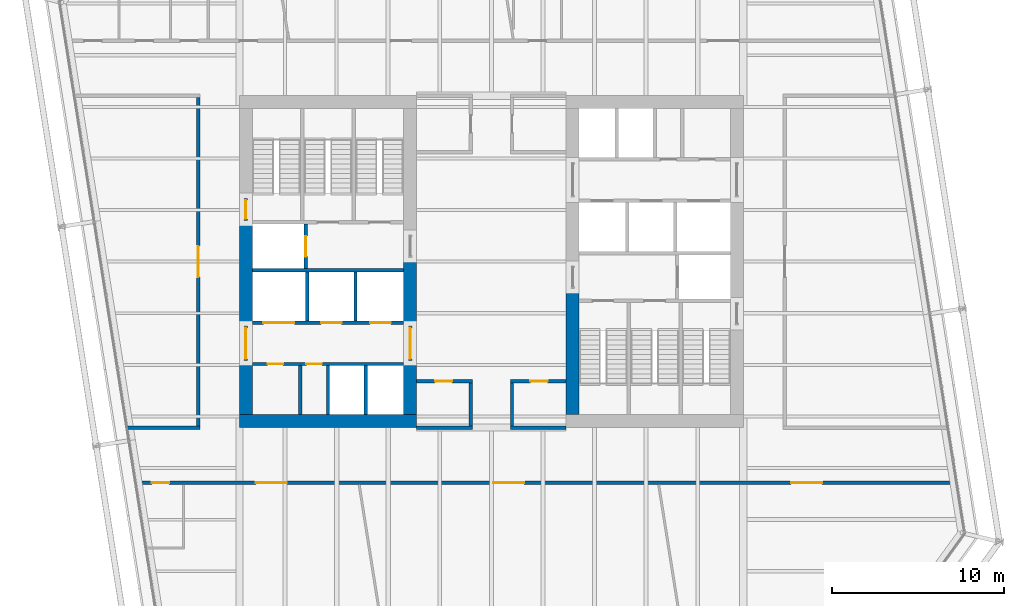
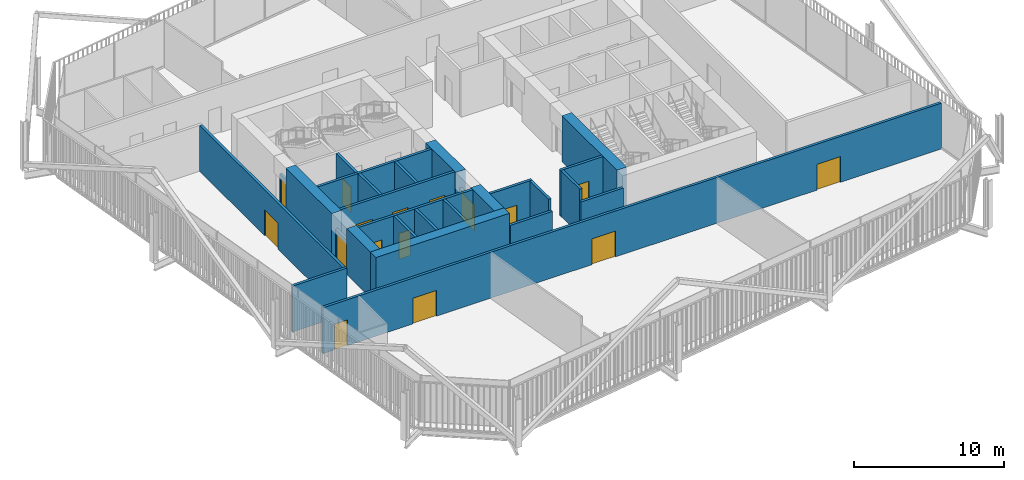
# One storey, part 18 of 22: 27 walls, 16 doors, 16 openings.
"""IFC4 building model written with IfcOpenShell, lengths in metres."""

from ifc_helpers import new_model, si_unit, direction, frame, frame_2d, origin, place, context, subcontext, project, spatial, rectangle, extrude, material, layer, layer_set, type_object, element, fill, save


model = new_model("IFC4")

# Units and contexts
model_context = context("Model", 3, precision=1e-05, world=origin(), true_north=direction((0.0, 1.0)))
body_context = subcontext(model_context, "Body", "Model", "MODEL_VIEW")
ifc_project = project(units=[si_unit("LENGTHUNIT", "METRE"), si_unit("AREAUNIT", "SQUARE_METRE"), si_unit("VOLUMEUNIT", "CUBIC_METRE"), si_unit("PLANEANGLEUNIT", "RADIAN"), si_unit("MASSUNIT", "GRAM", prefix="KILO")], contexts=[model_context])

# Site, building, storey
site_placement = place(None, origin())
site = spatial("IfcSite", under=ifc_project, at=site_placement, CompositionType="ELEMENT")
building_placement = place(site_placement, origin())
building = spatial("IfcBuilding", under=site, at=building_placement, Name="Millrace Tower", CompositionType="ELEMENT")
storey_placement = place(building_placement, frame((0.0, 0.0, 137.300048828125)))
storey = spatial("IfcBuildingStorey", under=building, at=storey_placement, Name="L30", CompositionType="ELEMENT", Elevation=137.300048828125)

# Walls
ifc_material_1 = material(Name="Concrete C70", Category="concrete")
ifc_layer_1 = layer(ifc_material_1, 0.75)
ifc_layer_set_1 = layer_set([ifc_layer_1], Name="Concrete C70")
wall_type_1 = type_object("IfcWallType", Name="Core wall 750 Concrete C70", PredefinedType="SHEAR", material=ifc_layer_set_1)
wall_1_placement = place(storey_placement, frame((-14.64990234375, -9.27490234375, 0.0), z_axis=(0.0, 0.0, 1.0), x_axis=(1.0, 0.0, 0.0)))
element("IfcWall", 1, at=wall_1_placement, inside=storey, type_object=wall_type_1, Name="Core wall W L30", PredefinedType="SHEAR", context=body_context, shape_type="SweptSolid", body=[
    extrude(rectangle(XDim=10.2998046875, YDim=0.75, at=frame_2d((5.14990234375, 0.0))), origin(), (0.0, 0.0, 1.0), 3.739990234375),
])
wall_2_placement = place(storey_placement, frame((-14.27490234375, -8.89990234375, 0.0), z_axis=(0.0, 0.0, 1.0), x_axis=(0.0, 1.0, 0.0)))
element("IfcWall", 2, at=wall_2_placement, inside=storey, type_object=wall_type_1, Name="Core wall W L30", PredefinedType="SHEAR", context=body_context, shape_type="SweptSolid", body=[
    extrude(rectangle(XDim=3.14990234375, YDim=0.75, at=frame_2d((1.574951171875, 0.0))), origin(), (0.0, 0.0, 1.0), 3.739990234375),
])
wall_3_placement = place(storey_placement, frame((-14.27490234375, -3.75, 0.0), z_axis=(0.0, 0.0, 1.0), x_axis=(0.0, 1.0, 0.0)))
element("IfcWall", 3, at=wall_3_placement, inside=storey, type_object=wall_type_1, Name="Core wall W L30", PredefinedType="SHEAR", context=body_context, shape_type="SweptSolid", body=[
    extrude(rectangle(XDim=6.1298828125, YDim=0.75, at=frame_2d((3.06494140625, 0.0))), origin(), (0.0, 0.0, 1.0), 3.739990234375),
])
wall_4_placement = place(storey_placement, frame((-4.72509765625, -8.89990234375, 0.0), z_axis=(0.0, 0.0, 1.0), x_axis=(0.0, 1.0, 0.0)))
element("IfcWall", 4, at=wall_4_placement, inside=storey, type_object=wall_type_1, Name="Core wall W L30", PredefinedType="SHEAR", context=body_context, shape_type="SweptSolid", body=[
    extrude(rectangle(XDim=3.14990234375, YDim=0.75, at=frame_2d((1.574951171875, 0.0))), origin(), (0.0, 0.0, 1.0), 3.739990234375),
])
wall_5_placement = place(storey_placement, frame((-4.72509765625, -3.75, 0.0), z_axis=(0.0, 0.0, 1.0), x_axis=(0.0, 1.0, 0.0)))
element("IfcWall", 5, at=wall_5_placement, inside=storey, type_object=wall_type_1, Name="Core wall W L30", PredefinedType="SHEAR", context=body_context, shape_type="SweptSolid", body=[
    extrude(rectangle(XDim=4.0, YDim=0.75, at=frame_2d((2.0, 0.0))), origin(), (0.0, 0.0, 1.0), 3.739990234375),
])
wall_6_placement = place(storey_placement, frame((4.72509765625, -1.550048828125, 0.0), z_axis=(0.0, 0.0, 1.0), x_axis=(0.0, -1.0, 0.0)))
element("IfcWall", 6, at=wall_6_placement, inside=storey, type_object=wall_type_1, Name="Core wall E L30", PredefinedType="SHEAR", context=body_context, shape_type="SweptSolid", body=[
    extrude(rectangle(XDim=7.349853515625, YDim=0.75, at=frame_2d((3.6748046875, 0.0))), origin(), (0.0, 0.0, 1.0), 3.739990234375),
])

# Wall, openings, doors
ifc_material_2 = material(Name="Masonry partition, fire-rated", Category="masonry")
ifc_layer_2 = layer(ifc_material_2, 0.199951171875)
ifc_layer_set_2 = layer_set([ifc_layer_2], Name="Masonry partition, fire-rated")
wall_type_2 = type_object("IfcWallType", Name="Corridor wall 200", PredefinedType="PARTITIONING", material=ifc_layer_set_2)
wall_7_placement = place(storey_placement, frame((-20.6435546875, -12.85009765625, 0.0), z_axis=(0.0, 0.0, 1.0), x_axis=(1.0, 0.0, 0.0)))
wall_7 = element("IfcWall", 7, at=wall_7_placement, inside=storey, type_object=wall_type_2, Name="Corridor wall L30", PredefinedType="PARTITIONING", context=body_context, shape_type="SweptSolid", body=[
    extrude(rectangle(XDim=47.646728515625, YDim=0.199951171875, at=frame_2d((23.8232421875, 0.0))), origin(), (0.0, 0.0, 1.0), 3.739990234375),
])
opening_1_placement = place(wall_7_placement, frame((6.945068359375, 0.0, 0.0)))
opening_1 = element("IfcOpeningElement", 8, at=opening_1_placement, cuts=wall_7, Name="Opening 30-P013", PredefinedType="OPENING", context=body_context, shape_type="SweptSolid", body=[
    extrude(rectangle(XDim=1.800048828125, YDim=2.10009765625, at=frame_2d((0.89990234375, 1.050048828125))), frame((0.0, 0.10986328125, 0.0), z_axis=(0.0, -1.0, 0.0), x_axis=(1.0, 0.0, 0.0)), (0.0, 0.0, 1.0), 0.219970703125),
])
opening_2_placement = place(wall_7_placement, frame((0.900390625, 0.0, 0.0)))
opening_2 = element("IfcOpeningElement", 9, at=opening_2_placement, cuts=wall_7, Name="Opening 30-P014", PredefinedType="OPENING", context=body_context, shape_type="SweptSolid", body=[
    extrude(rectangle(XDim=1.0, YDim=2.10009765625, at=frame_2d((0.5, 1.050048828125))), frame((0.0, 0.10986328125, 0.0), z_axis=(0.0, -1.0, 0.0), x_axis=(1.0, 0.0, 0.0)), (0.0, 0.0, 1.0), 0.219970703125),
])
opening_3_placement = place(wall_7_placement, frame((20.74658203125, 0.0, 0.0)))
opening_3 = element("IfcOpeningElement", 10, at=opening_3_placement, cuts=wall_7, Name="Opening 30-P015", PredefinedType="OPENING", context=body_context, shape_type="SweptSolid", body=[
    extrude(rectangle(XDim=1.800048828125, YDim=2.10009765625, at=frame_2d((0.89990234375, 1.050048828125))), frame((0.0, 0.10986328125, 0.0), z_axis=(0.0, -1.0, 0.0), x_axis=(1.0, 0.0, 0.0)), (0.0, 0.0, 1.0), 0.219970703125),
])
opening_4_placement = place(wall_7_placement, frame((38.074462890625, 0.0, 0.0)))
opening_4 = element("IfcOpeningElement", 11, at=opening_4_placement, cuts=wall_7, Name="Opening 30-P016", PredefinedType="OPENING", context=body_context, shape_type="SweptSolid", body=[
    extrude(rectangle(XDim=1.800048828125, YDim=2.10009765625, at=frame_2d((0.89990234375, 1.050048828125))), frame((0.0, 0.10986328125, 0.0), z_axis=(0.0, -1.0, 0.0), x_axis=(1.0, 0.0, 0.0)), (0.0, 0.0, 1.0), 0.219970703125),
])
ifc_material_3 = material(Name="Steel door set, fire-rated", Category="steel")
door_type_1 = type_object("IfcDoorType", Name="Corridor door 1000 x 2100", OperationType="SINGLE_SWING_LEFT", PredefinedType="DOOR", material=ifc_material_3)
door_1_placement = place(opening_2_placement, frame((1.0, 0.0, 0.0), z_axis=(0.0, 0.0, 1.0), x_axis=(-1.0, 0.0, 0.0)))
door_1 = element("IfcDoor", 12, at=door_1_placement, inside=storey, type_object=door_type_1, Name="Door 30-P014", OperationType="SINGLE_SWING_RIGHT", OverallHeight=2.10009765625, OverallWidth=1.0, PredefinedType="DOOR", context=body_context, shape_type="SweptSolid", body=[
    extrude(rectangle(XDim=1.0, YDim=2.10009765625, at=frame_2d((0.5, 1.050048828125))), frame((0.0, 0.02490234375, 0.0), z_axis=(0.0, -1.0, 0.0), x_axis=(1.0, 0.0, 0.0)), (0.0, 0.0, 1.0), 0.050048828125),
])
fill(opening_2, door_1)
ifc_material_4 = material(Name="Steel door set, fire-rated", Category="steel")
door_type_2 = type_object("IfcDoorType", Name="Corridor door 1800 x 2100", OperationType="DOUBLE_DOOR_SINGLE_SWING", PredefinedType="DOOR", material=ifc_material_4)
door_2_placement = place(opening_1_placement, origin())
door_2 = element("IfcDoor", 13, at=door_2_placement, inside=storey, type_object=door_type_2, Name="Door 30-P013", OperationType="DOUBLE_DOOR_SINGLE_SWING", OverallHeight=2.10009765625, OverallWidth=1.800048828125, PredefinedType="DOOR", context=body_context, shape_type="SweptSolid", body=[
    extrude(rectangle(XDim=1.800048828125, YDim=2.10009765625, at=frame_2d((0.89990234375, 1.050048828125))), frame((0.0, 0.02490234375, 0.0), z_axis=(0.0, -1.0, 0.0), x_axis=(1.0, 0.0, 0.0)), (0.0, 0.0, 1.0), 0.050048828125),
])
fill(opening_1, door_2)
door_3_placement = place(opening_3_placement, origin())
door_3 = element("IfcDoor", 14, at=door_3_placement, inside=storey, type_object=door_type_2, Name="Door 30-P015", OperationType="DOUBLE_DOOR_SINGLE_SWING", OverallHeight=2.10009765625, OverallWidth=1.800048828125, PredefinedType="DOOR", context=body_context, shape_type="SweptSolid", body=[
    extrude(rectangle(XDim=1.800048828125, YDim=2.10009765625, at=frame_2d((0.89990234375, 1.050048828125))), frame((0.0, 0.02490234375, 0.0), z_axis=(0.0, -1.0, 0.0), x_axis=(1.0, 0.0, 0.0)), (0.0, 0.0, 1.0), 0.050048828125),
])
fill(opening_3, door_3)
door_4_placement = place(opening_4_placement, frame((1.800048828125, 0.0, 0.0), z_axis=(0.0, 0.0, 1.0), x_axis=(-1.0, 0.0, 0.0)))
door_4 = element("IfcDoor", 15, at=door_4_placement, inside=storey, type_object=door_type_2, Name="Door 30-P016", OperationType="DOUBLE_DOOR_SINGLE_SWING", OverallHeight=2.10009765625, OverallWidth=1.800048828125, PredefinedType="DOOR", context=body_context, shape_type="SweptSolid", body=[
    extrude(rectangle(XDim=1.800048828125, YDim=2.10009765625, at=frame_2d((0.89990234375, 1.050048828125))), frame((0.0, 0.02490234375, 0.0), z_axis=(0.0, -1.0, 0.0), x_axis=(1.0, 0.0, 0.0)), (0.0, 0.0, 1.0), 0.050048828125),
])
fill(opening_4, door_4)

# Walls
wall_8_placement = place(storey_placement, frame((-21.150390625, -9.64990234375, 0.0), z_axis=(0.0, 0.0, 1.0), x_axis=(1.0, 0.0, 0.0)))
element("IfcWall", 16, at=wall_8_placement, inside=storey, type_object=wall_type_2, Name="Corridor wall L30", PredefinedType="PARTITIONING", context=body_context, shape_type="SweptSolid", body=[
    extrude(rectangle(XDim=4.200439453125, YDim=0.199951171875, at=frame_2d((2.10009765625, 0.0))), origin(), (0.0, 0.0, 1.0), 3.739990234375),
])
for number, where, z_axis, x_axis, name in (
    (17, (-4.35009765625, -9.64990234375, 0.0), (0.0, 0.0, 1.0), (1.0, 0.0, 0.0), "Corridor wall L30"),
    (18, (1.10009765625, -9.64990234375, 0.0), (0.0, 0.0, 1.0), (1.0, 0.0, 0.0), "Corridor wall L30"),
):
    element("IfcWall", number, at=place(storey_placement, frame(where, z_axis=z_axis, x_axis=x_axis)), inside=storey, type_object=wall_type_2, Name=name, PredefinedType="PARTITIONING", context=body_context, shape_type="SweptSolid", body=[
        extrude(rectangle(XDim=3.25, YDim=0.199951171875, at=frame_2d((1.625, 0.0))), origin(), (0.0, 0.0, 1.0), 2.812744140625),
    ])

# Wall, opening, door
wall_9_placement = place(storey_placement, frame((-4.35009765625, -6.949951171875, 0.0), z_axis=(0.0, 0.0, 1.0), x_axis=(1.0, 0.0, 0.0)))
wall_9 = element("IfcWall", 19, at=wall_9_placement, inside=storey, type_object=wall_type_2, Name="Corridor wall L30", PredefinedType="PARTITIONING", context=body_context, shape_type="SweptSolid", body=[
    extrude(rectangle(XDim=3.25, YDim=0.199951171875, at=frame_2d((1.625, 0.0))), origin(), (0.0, 0.0, 1.0), 3.739990234375),
])
opening_5_placement = place(wall_9_placement, frame((1.074951171875, 0.0, 0.0)))
opening_5 = element("IfcOpeningElement", 20, at=opening_5_placement, cuts=wall_9, Name="Opening 30-P003", PredefinedType="OPENING", context=body_context, shape_type="SweptSolid", body=[
    extrude(rectangle(XDim=1.0, YDim=2.10009765625, at=frame_2d((0.5, 1.050048828125))), frame((0.0, 0.10986328125, 0.0), z_axis=(0.0, -1.0, 0.0), x_axis=(1.0, 0.0, 0.0)), (0.0, 0.0, 1.0), 0.219970703125),
])
door_5_placement = place(opening_5_placement, frame((1.0, 0.0, 0.0), z_axis=(0.0, 0.0, 1.0), x_axis=(-1.0, 0.0, 0.0)))
door_5 = element("IfcDoor", 21, at=door_5_placement, inside=storey, type_object=door_type_1, Name="Door 30-P003", OperationType="SINGLE_SWING_RIGHT", OverallHeight=2.10009765625, OverallWidth=1.0, PredefinedType="DOOR", context=body_context, shape_type="SweptSolid", body=[
    extrude(rectangle(XDim=1.0, YDim=2.10009765625, at=frame_2d((0.5, 1.050048828125))), frame((0.0, 0.02490234375, 0.0), z_axis=(0.0, -1.0, 0.0), x_axis=(1.0, 0.0, 0.0)), (0.0, 0.0, 1.0), 0.050048828125),
])
fill(opening_5, door_5)

wall_10_placement = place(storey_placement, frame((1.10009765625, -6.949951171875, 0.0), z_axis=(0.0, 0.0, 1.0), x_axis=(1.0, 0.0, 0.0)))
wall_10 = element("IfcWall", 22, at=wall_10_placement, inside=storey, type_object=wall_type_2, Name="Corridor wall L30", PredefinedType="PARTITIONING", context=body_context, shape_type="SweptSolid", body=[
    extrude(rectangle(XDim=3.25, YDim=0.199951171875, at=frame_2d((1.625, 0.0))), origin(), (0.0, 0.0, 1.0), 3.739990234375),
])
opening_6_placement = place(wall_10_placement, frame((1.175048828125, 0.0, 0.0)))
opening_6 = element("IfcOpeningElement", 23, at=opening_6_placement, cuts=wall_10, Name="Opening 30-P004", PredefinedType="OPENING", context=body_context, shape_type="SweptSolid", body=[
    extrude(rectangle(XDim=1.0, YDim=2.10009765625, at=frame_2d((0.5, 1.050048828125))), frame((0.0, 0.10986328125, 0.0), z_axis=(0.0, -1.0, 0.0), x_axis=(1.0, 0.0, 0.0)), (0.0, 0.0, 1.0), 0.219970703125),
])
door_6_placement = place(opening_6_placement, frame((1.0, 0.0, 0.0), z_axis=(0.0, 0.0, 1.0), x_axis=(-1.0, 0.0, 0.0)))
door_6 = element("IfcDoor", 24, at=door_6_placement, inside=storey, type_object=door_type_1, Name="Door 30-P004", OperationType="SINGLE_SWING_RIGHT", OverallHeight=2.10009765625, OverallWidth=1.0, PredefinedType="DOOR", context=body_context, shape_type="SweptSolid", body=[
    extrude(rectangle(XDim=1.0, YDim=2.10009765625, at=frame_2d((0.5, 1.050048828125))), frame((0.0, 0.02490234375, 0.0), z_axis=(0.0, -1.0, 0.0), x_axis=(1.0, 0.0, 0.0)), (0.0, 0.0, 1.0), 0.050048828125),
])
fill(opening_6, door_6)

# Walls
for number, where, z_axis, x_axis, name in (
    (25, (1.199951171875, -9.550048828125, 0.0), (0.0, 0.0, 1.0), (0.0, 1.0, 0.0), "Corridor wall L30"),
    (26, (-1.199951171875, -9.550048828125, 0.0), (0.0, 0.0, 1.0), (0.0, 1.0, 0.0), "Corridor wall L30"),
):
    element("IfcWall", number, at=place(storey_placement, frame(where, z_axis=z_axis, x_axis=x_axis)), inside=storey, type_object=wall_type_2, Name=name, PredefinedType="PARTITIONING", context=body_context, shape_type="SweptSolid", body=[
        extrude(rectangle(XDim=2.5, YDim=0.199951171875, at=frame_2d((1.25, 0.0))), origin(), (0.0, 0.0, 1.0), 3.739990234375),
    ])

# Wall, opening, door
wall_11_placement = place(storey_placement, frame((-17.050048828125, -9.550048828125, 0.0), z_axis=(0.0, 0.0, 1.0), x_axis=(0.0, 1.0, 0.0)))
wall_11 = element("IfcWall", 27, at=wall_11_placement, inside=storey, type_object=wall_type_2, Name="Corridor wall L30", PredefinedType="PARTITIONING", context=body_context, shape_type="SweptSolid", body=[
    extrude(rectangle(XDim=19.10009765625, YDim=0.199951171875, at=frame_2d((9.550048828125, 0.0))), origin(), (0.0, 0.0, 1.0), 3.739990234375),
])
opening_7_placement = place(wall_11_placement, frame((8.64990234375, 0.0, 0.0)))
opening_7 = element("IfcOpeningElement", 28, at=opening_7_placement, cuts=wall_11, Name="Opening 30-P017", PredefinedType="OPENING", context=body_context, shape_type="SweptSolid", body=[
    extrude(rectangle(XDim=1.800048828125, YDim=2.10009765625, at=frame_2d((0.89990234375, 1.050048828125))), frame((0.0, 0.10986328125, 0.0), z_axis=(0.0, -1.0, 0.0), x_axis=(1.0, 0.0, 0.0)), (0.0, 0.0, 1.0), 0.219970703125),
])
door_7_placement = place(opening_7_placement, origin())
door_7 = element("IfcDoor", 29, at=door_7_placement, inside=storey, type_object=door_type_2, Name="Door 30-P017", OperationType="DOUBLE_DOOR_SINGLE_SWING", OverallHeight=2.10009765625, OverallWidth=1.800048828125, PredefinedType="DOOR", context=body_context, shape_type="SweptSolid", body=[
    extrude(rectangle(XDim=1.800048828125, YDim=2.10009765625, at=frame_2d((0.89990234375, 1.050048828125))), frame((0.0, 0.02490234375, 0.0), z_axis=(0.0, -1.0, 0.0), x_axis=(1.0, 0.0, 0.0)), (0.0, 0.0, 1.0), 0.050048828125),
])
fill(opening_7, door_7)

# Wall, openings, doors
ifc_material_5 = material(Name="Masonry partition, fire-rated", Category="masonry")
ifc_layer_3 = layer(ifc_material_5, 0.199951171875)
ifc_layer_set_3 = layer_set([ifc_layer_3], Name="Masonry partition, fire-rated")
wall_type_3 = type_object("IfcWallType", Name="Lift shaft wall 200", PredefinedType="PARTITIONING", material=ifc_layer_set_3)
wall_12_placement = place(storey_placement, frame((-13.89990234375, -5.949951171875, 0.0), z_axis=(0.0, 0.0, 1.0), x_axis=(1.0, 0.0, 0.0)))
wall_12 = element("IfcWall", 30, at=wall_12_placement, inside=storey, type_object=wall_type_3, Name="Lift shaft wall W L30", PredefinedType="PARTITIONING", context=body_context, shape_type="SweptSolid", body=[
    extrude(rectangle(XDim=8.7998046875, YDim=0.199951171875, at=frame_2d((4.39990234375, 0.0))), origin(), (0.0, 0.0, 1.0), 3.739990234375),
])
opening_8_placement = place(wall_12_placement, frame((0.8974609375, 0.0, 0.0)))
opening_8 = element("IfcOpeningElement", 31, at=opening_8_placement, cuts=wall_12, Name="Opening 30-C005", PredefinedType="OPENING", context=body_context, shape_type="SweptSolid", body=[
    extrude(rectangle(XDim=0.89990234375, YDim=2.10009765625, at=frame_2d((0.449951171875, 1.050048828125))), frame((0.0, 0.10986328125, 0.0), z_axis=(0.0, -1.0, 0.0), x_axis=(1.0, 0.0, 0.0)), (0.0, 0.0, 1.0), 0.219970703125),
])
opening_9_placement = place(wall_12_placement, frame((3.1474609375, 0.0, 0.0)))
opening_9 = element("IfcOpeningElement", 32, at=opening_9_placement, cuts=wall_12, Name="Opening 30-C006", PredefinedType="OPENING", context=body_context, shape_type="SweptSolid", body=[
    extrude(rectangle(XDim=0.89990234375, YDim=2.10009765625, at=frame_2d((0.449951171875, 1.050048828125))), frame((0.0, 0.10986328125, 0.0), z_axis=(0.0, -1.0, 0.0), x_axis=(1.0, 0.0, 0.0)), (0.0, 0.0, 1.0), 0.219970703125),
])
ifc_material_6 = material(Name="Steel door, fire-rated", Category="steel")
door_type_3 = type_object("IfcDoorType", Name="Service room door 900 x 2100", OperationType="SINGLE_SWING_LEFT", PredefinedType="DOOR", material=ifc_material_6)
door_8_placement = place(opening_8_placement, frame((0.89990234375, 0.0, 0.0), z_axis=(0.0, 0.0, 1.0), x_axis=(-1.0, 0.0, 0.0)))
door_8 = element("IfcDoor", 33, at=door_8_placement, inside=storey, type_object=door_type_3, Name="Service room door 30-C005", OperationType="SINGLE_SWING_RIGHT", OverallHeight=2.10009765625, OverallWidth=0.89990234375, PredefinedType="DOOR", context=body_context, shape_type="SweptSolid", body=[
    extrude(rectangle(XDim=0.89990234375, YDim=2.10009765625, at=frame_2d((0.449951171875, 1.050048828125))), frame((0.0, 0.02490234375, 0.0), z_axis=(0.0, -1.0, 0.0), x_axis=(1.0, 0.0, 0.0)), (0.0, 0.0, 1.0), 0.050048828125),
])
fill(opening_8, door_8)
door_9_placement = place(opening_9_placement, frame((0.89990234375, 0.0, 0.0), z_axis=(0.0, 0.0, 1.0), x_axis=(-1.0, 0.0, 0.0)))
door_9 = element("IfcDoor", 34, at=door_9_placement, inside=storey, type_object=door_type_3, Name="Service room door 30-C006", OperationType="SINGLE_SWING_RIGHT", OverallHeight=2.10009765625, OverallWidth=0.89990234375, PredefinedType="DOOR", context=body_context, shape_type="SweptSolid", body=[
    extrude(rectangle(XDim=0.89990234375, YDim=2.10009765625, at=frame_2d((0.449951171875, 1.050048828125))), frame((0.0, 0.02490234375, 0.0), z_axis=(0.0, -1.0, 0.0), x_axis=(1.0, 0.0, 0.0)), (0.0, 0.0, 1.0), 0.050048828125),
])
fill(opening_9, door_9)

wall_13_placement = place(storey_placement, frame((-13.89990234375, -3.550048828125, 0.0), z_axis=(0.0, 0.0, 1.0), x_axis=(1.0, 0.0, 0.0)))
wall_13 = element("IfcWall", 35, at=wall_13_placement, inside=storey, type_object=wall_type_3, Name="Lift shaft wall W L30", PredefinedType="PARTITIONING", context=body_context, shape_type="SweptSolid", body=[
    extrude(rectangle(XDim=8.7998046875, YDim=0.199951171875, at=frame_2d((4.39990234375, 0.0))), origin(), (0.0, 0.0, 1.0), 3.739990234375),
])
opening_10_placement = place(wall_13_placement, frame((0.64990234375, 0.0, 0.0)))
opening_10 = element("IfcOpeningElement", 36, at=opening_10_placement, cuts=wall_13, Name="Opening 30-LD05", PredefinedType="OPENING", context=body_context, shape_type="SweptSolid", body=[
    extrude(rectangle(XDim=1.800048828125, YDim=2.10009765625, at=frame_2d((0.89990234375, 1.050048828125))), frame((0.0, 0.10986328125, 0.0), z_axis=(0.0, -1.0, 0.0), x_axis=(1.0, 0.0, 0.0)), (0.0, 0.0, 1.0), 0.219970703125),
])
opening_11_placement = place(wall_13_placement, frame((4.0, 0.0, 0.0)))
opening_11 = element("IfcOpeningElement", 37, at=opening_11_placement, cuts=wall_13, Name="Opening 30-LD06", PredefinedType="OPENING", context=body_context, shape_type="SweptSolid", body=[
    extrude(rectangle(XDim=1.199951171875, YDim=2.10009765625, at=frame_2d((0.60009765625, 1.050048828125))), frame((0.0, 0.10986328125, 0.0), z_axis=(0.0, -1.0, 0.0), x_axis=(1.0, 0.0, 0.0)), (0.0, 0.0, 1.0), 0.219970703125),
])
opening_12_placement = place(wall_13_placement, frame((6.85009765625, 0.0, 0.0)))
opening_12 = element("IfcOpeningElement", 38, at=opening_12_placement, cuts=wall_13, Name="Opening 30-LD07", PredefinedType="OPENING", context=body_context, shape_type="SweptSolid", body=[
    extrude(rectangle(XDim=1.199951171875, YDim=2.10009765625, at=frame_2d((0.60009765625, 1.050048828125))), frame((0.0, 0.10986328125, 0.0), z_axis=(0.0, -1.0, 0.0), x_axis=(1.0, 0.0, 0.0)), (0.0, 0.0, 1.0), 0.219970703125),
])
ifc_material_7 = material(Name="Stainless steel, fire-rated", Category="steel")
door_type_4 = type_object("IfcDoorType", Name="Lift landing door 1200 x 2100", OperationType="DOUBLE_DOOR_SLIDING", PredefinedType="DOOR", material=ifc_material_7)
door_10_placement = place(opening_11_placement, origin())
door_10 = element("IfcDoor", 39, at=door_10_placement, inside=storey, type_object=door_type_4, Name="Lift landing door LF6 L30", OperationType="DOUBLE_DOOR_SLIDING", OverallHeight=2.10009765625, OverallWidth=1.199951171875, PredefinedType="DOOR", context=body_context, shape_type="SweptSolid", body=[
    extrude(rectangle(XDim=1.199951171875, YDim=2.10009765625, at=frame_2d((0.60009765625, 1.050048828125))), frame((0.0, 0.02490234375, 0.0), z_axis=(0.0, -1.0, 0.0), x_axis=(1.0, 0.0, 0.0)), (0.0, 0.0, 1.0), 0.050048828125),
])
fill(opening_11, door_10)
door_11_placement = place(opening_12_placement, origin())
door_11 = element("IfcDoor", 40, at=door_11_placement, inside=storey, type_object=door_type_4, Name="Lift landing door LF7 L30", OperationType="DOUBLE_DOOR_SLIDING", OverallHeight=2.10009765625, OverallWidth=1.199951171875, PredefinedType="DOOR", context=body_context, shape_type="SweptSolid", body=[
    extrude(rectangle(XDim=1.199951171875, YDim=2.10009765625, at=frame_2d((0.60009765625, 1.050048828125))), frame((0.0, 0.02490234375, 0.0), z_axis=(0.0, -1.0, 0.0), x_axis=(1.0, 0.0, 0.0)), (0.0, 0.0, 1.0), 0.050048828125),
])
fill(opening_12, door_11)
ifc_material_8 = material(Name="Stainless steel, fire-rated", Category="steel")
door_type_5 = type_object("IfcDoorType", Name="Lift landing door 1800 x 2100", OperationType="DOUBLE_DOOR_SLIDING", PredefinedType="DOOR", material=ifc_material_8)
door_12_placement = place(opening_10_placement, origin())
door_12 = element("IfcDoor", 41, at=door_12_placement, inside=storey, type_object=door_type_5, Name="Lift landing door LF5 L30", OperationType="DOUBLE_DOOR_SLIDING", OverallHeight=2.10009765625, OverallWidth=1.800048828125, PredefinedType="DOOR", context=body_context, shape_type="SweptSolid", body=[
    extrude(rectangle(XDim=1.800048828125, YDim=2.10009765625, at=frame_2d((0.89990234375, 1.050048828125))), frame((0.0, 0.02490234375, 0.0), z_axis=(0.0, -1.0, 0.0), x_axis=(1.0, 0.0, 0.0)), (0.0, 0.0, 1.0), 0.050048828125),
])
fill(opening_10, door_12)

# Wall
wall_14_placement = place(storey_placement, frame((-13.89990234375, -0.5, 0.0), z_axis=(0.0, 0.0, 1.0), x_axis=(1.0, 0.0, 0.0)))
element("IfcWall", 42, at=wall_14_placement, inside=storey, type_object=wall_type_3, Name="Lift shaft wall W L30", PredefinedType="PARTITIONING", context=body_context, shape_type="SweptSolid", body=[
    extrude(rectangle(XDim=8.7998046875, YDim=0.199951171875, at=frame_2d((4.39990234375, 0.0))), origin(), (0.0, 0.0, 1.0), 3.739990234375),
])

# Wall, opening, door
wall_15_placement = place(storey_placement, frame((-10.800048828125, -0.39990234375, 0.0), z_axis=(0.0, 0.0, 1.0), x_axis=(0.0, 1.0, 0.0)))
wall_15 = element("IfcWall", 43, at=wall_15_placement, inside=storey, type_object=wall_type_3, Name="Lift shaft wall W L30", PredefinedType="PARTITIONING", context=body_context, shape_type="SweptSolid", body=[
    extrude(rectangle(XDim=2.579833984375, YDim=0.199951171875, at=frame_2d((1.2900390625, 0.0))), origin(), (0.0, 0.0, 1.0), 3.739990234375),
])
opening_13_placement = place(wall_15_placement, frame((0.68994140625, 0.0, 0.0)))
opening_13 = element("IfcOpeningElement", 44, at=opening_13_placement, cuts=wall_15, Name="Opening 30-LD08", PredefinedType="OPENING", context=body_context, shape_type="SweptSolid", body=[
    extrude(rectangle(XDim=1.199951171875, YDim=2.10009765625, at=frame_2d((0.60009765625, 1.050048828125))), frame((0.0, 0.10986328125, 0.0), z_axis=(0.0, -1.0, 0.0), x_axis=(1.0, 0.0, 0.0)), (0.0, 0.0, 1.0), 0.219970703125),
])
door_13_placement = place(opening_13_placement, origin())
door_13 = element("IfcDoor", 45, at=door_13_placement, inside=storey, type_object=door_type_4, Name="Lift landing door LF8 L30", OperationType="DOUBLE_DOOR_SLIDING", OverallHeight=2.10009765625, OverallWidth=1.199951171875, PredefinedType="DOOR", context=body_context, shape_type="SweptSolid", body=[
    extrude(rectangle(XDim=1.199951171875, YDim=2.10009765625, at=frame_2d((0.60009765625, 1.050048828125))), frame((0.0, 0.02490234375, 0.0), z_axis=(0.0, -1.0, 0.0), x_axis=(1.0, 0.0, 0.0)), (0.0, 0.0, 1.0), 0.050048828125),
])
fill(opening_13, door_13)

# Walls
for number, where, z_axis, x_axis, name in (
    (46, (-9.5, -8.89990234375, 0.0), (0.0, 0.0, 1.0), (0.0, 1.0, 0.0), "Lift shaft wall W L30"),
    (47, (-7.300048828125, -8.89990234375, 0.0), (0.0, 0.0, 1.0), (0.0, 1.0, 0.0), "Lift shaft wall W L30"),
    (48, (-10.699951171875, -3.449951171875, 0.0), (0.0, 0.0, 1.0), (0.0, 1.0, 0.0), "Lift shaft wall W L30"),
    (49, (-7.89990234375, -3.449951171875, 0.0), (0.0, 0.0, 1.0), (0.0, 1.0, 0.0), "Lift shaft wall W L30"),
):
    element("IfcWall", number, at=place(storey_placement, frame(where, z_axis=z_axis, x_axis=x_axis)), inside=storey, type_object=wall_type_3, Name=name, PredefinedType="PARTITIONING", context=body_context, shape_type="SweptSolid", body=[
        extrude(rectangle(XDim=2.849853515625, YDim=0.199951171875, at=frame_2d((1.4248046875, 0.0))), origin(), (0.0, 0.0, 1.0), 3.739990234375),
    ])

# Wall, opening, door
ifc_material_9 = material(Name="Masonry partition, fire-rated", Category="masonry")
ifc_layer_4 = layer(ifc_material_9, 0.199951171875)
ifc_layer_set_4 = layer_set([ifc_layer_4], Name="Masonry partition, fire-rated")
wall_type_4 = type_object("IfcWallType", Name="Lobby wall 200", PredefinedType="PARTITIONING", material=ifc_layer_set_4)
wall_16_placement = place(storey_placement, frame((-14.27490234375, -5.75, 0.0), z_axis=(0.0, 0.0, 1.0), x_axis=(0.0, 1.0, 0.0)))
wall_16 = element("IfcWall", 50, at=wall_16_placement, inside=storey, type_object=wall_type_4, Name="Lobby wall W L30", PredefinedType="PARTITIONING", context=body_context, shape_type="SweptSolid", body=[
    extrude(rectangle(XDim=2.0, YDim=0.199951171875, at=frame_2d((1.0, 0.0))), origin(), (0.0, 0.0, 1.0), 2.39990234375),
])
opening_14_placement = place(wall_16_placement, frame((0.10009765625, 0.0, 0.0)))
opening_14 = element("IfcOpeningElement", 51, at=opening_14_placement, cuts=wall_16, Name="Opening 30-C001", PredefinedType="OPENING", context=body_context, shape_type="SweptSolid", body=[
    extrude(rectangle(XDim=1.800048828125, YDim=2.10009765625, at=frame_2d((0.89990234375, 1.050048828125))), frame((0.0, 0.10986328125, 0.0), z_axis=(0.0, -1.0, 0.0), x_axis=(1.0, 0.0, 0.0)), (0.0, 0.0, 1.0), 0.219970703125),
])
ifc_material_10 = material(Name="Steel door, fire-rated", Category="steel")
door_type_6 = type_object("IfcDoorType", Name="Lobby door 1800 x 2100", OperationType="DOUBLE_DOOR_SINGLE_SWING", PredefinedType="DOOR", material=ifc_material_10)
door_14_placement = place(opening_14_placement, origin())
door_14 = element("IfcDoor", 52, at=door_14_placement, inside=storey, type_object=door_type_6, Name="Lobby door 30-C001", OperationType="DOUBLE_DOOR_SINGLE_SWING", OverallHeight=2.10009765625, OverallWidth=1.800048828125, PredefinedType="DOOR", context=body_context, shape_type="SweptSolid", body=[
    extrude(rectangle(XDim=1.800048828125, YDim=2.10009765625, at=frame_2d((0.89990234375, 1.050048828125))), frame((0.0, 0.02490234375, 0.0), z_axis=(0.0, -1.0, 0.0), x_axis=(1.0, 0.0, 0.0)), (0.0, 0.0, 1.0), 0.050048828125),
])
fill(opening_14, door_14)

wall_17_placement = place(storey_placement, frame((-4.72509765625, -5.75, 0.0), z_axis=(0.0, 0.0, 1.0), x_axis=(0.0, 1.0, 0.0)))
wall_17 = element("IfcWall", 53, at=wall_17_placement, inside=storey, type_object=wall_type_4, Name="Lobby wall W L30", PredefinedType="PARTITIONING", context=body_context, shape_type="SweptSolid", body=[
    extrude(rectangle(XDim=2.0, YDim=0.199951171875, at=frame_2d((1.0, 0.0))), origin(), (0.0, 0.0, 1.0), 2.39990234375),
])
opening_15_placement = place(wall_17_placement, frame((0.10009765625, 0.0, 0.0)))
opening_15 = element("IfcOpeningElement", 54, at=opening_15_placement, cuts=wall_17, Name="Opening 30-C003", PredefinedType="OPENING", context=body_context, shape_type="SweptSolid", body=[
    extrude(rectangle(XDim=1.800048828125, YDim=2.10009765625, at=frame_2d((0.89990234375, 1.050048828125))), frame((0.0, 0.10986328125, 0.0), z_axis=(0.0, -1.0, 0.0), x_axis=(1.0, 0.0, 0.0)), (0.0, 0.0, 1.0), 0.219970703125),
])
door_15_placement = place(opening_15_placement, origin())
door_15 = element("IfcDoor", 55, at=door_15_placement, inside=storey, type_object=door_type_6, Name="Lobby door 30-C003", OperationType="DOUBLE_DOOR_SINGLE_SWING", OverallHeight=2.10009765625, OverallWidth=1.800048828125, PredefinedType="DOOR", context=body_context, shape_type="SweptSolid", body=[
    extrude(rectangle(XDim=1.800048828125, YDim=2.10009765625, at=frame_2d((0.89990234375, 1.050048828125))), frame((0.0, 0.02490234375, 0.0), z_axis=(0.0, -1.0, 0.0), x_axis=(1.0, 0.0, 0.0)), (0.0, 0.0, 1.0), 0.050048828125),
])
fill(opening_15, door_15)

# Wall
ifc_material_11 = material(Name="Masonry partition, fire-rated", Category="masonry")
ifc_layer_5 = layer(ifc_material_11, 0.199951171875)
ifc_layer_set_5 = layer_set([ifc_layer_5], Name="Masonry partition, fire-rated")
wall_type_5 = type_object("IfcWallType", Name="Room partition 200", PredefinedType="PARTITIONING", material=ifc_layer_set_5)
wall_18_placement = place(storey_placement, frame((-11.10498046875, -8.89990234375, 0.0), z_axis=(0.0, 0.0, 1.0), x_axis=(0.0, 1.0, 0.0)))
element("IfcWall", 56, at=wall_18_placement, inside=storey, type_object=wall_type_5, Name="Room partition W L30", PredefinedType="PARTITIONING", context=body_context, shape_type="SweptSolid", body=[
    extrude(rectangle(XDim=2.849853515625, YDim=0.199951171875, at=frame_2d((1.4248046875, 0.0))), origin(), (0.0, 0.0, 1.0), 3.739990234375),
])

# Wall, opening, door
ifc_material_12 = material(Name="Concrete C40", Category="concrete")
ifc_layer_6 = layer(ifc_material_12, 0.199951171875)
ifc_layer_set_6 = layer_set([ifc_layer_6], Name="Concrete C40")
wall_type_6 = type_object("IfcWallType", Name="Stair enclosure wall 200 Concrete C40", PredefinedType="SHEAR", material=ifc_layer_set_6)
wall_19_placement = place(storey_placement, frame((-14.27490234375, 2.3798828125, 0.0), z_axis=(0.0, 0.0, 1.0), x_axis=(0.0, 1.0, 0.0)))
wall_19 = element("IfcWall", 57, at=wall_19_placement, inside=storey, type_object=wall_type_6, Name="Stair enclosure wall W L30", PredefinedType="SHEAR", context=body_context, shape_type="SweptSolid", body=[
    extrude(rectangle(XDim=1.300048828125, YDim=0.199951171875, at=frame_2d((0.64990234375, 0.0))), origin(), (0.0, 0.0, 1.0), 2.39990234375),
])
opening_16_placement = place(wall_19_placement, frame((0.10009765625, 0.0, 0.0)))
opening_16 = element("IfcOpeningElement", 58, at=opening_16_placement, cuts=wall_19, Name="Opening 30-C002", PredefinedType="OPENING", context=body_context, shape_type="SweptSolid", body=[
    extrude(rectangle(XDim=1.10009765625, YDim=2.10009765625, at=frame_2d((0.550048828125, 1.050048828125))), frame((0.0, 0.10986328125, 0.0), z_axis=(0.0, -1.0, 0.0), x_axis=(1.0, 0.0, 0.0)), (0.0, 0.0, 1.0), 0.219970703125),
])
ifc_material_13 = material(Name="Steel door, fire-rated", Category="steel")
door_type_7 = type_object("IfcDoorType", Name="Stair door 1100 x 2100", OperationType="SINGLE_SWING_LEFT", PredefinedType="DOOR", material=ifc_material_13)
door_16_placement = place(opening_16_placement, origin())
door_16 = element("IfcDoor", 59, at=door_16_placement, inside=storey, type_object=door_type_7, Name="Stair door 30-C002", OperationType="SINGLE_SWING_RIGHT", OverallHeight=2.10009765625, OverallWidth=1.10009765625, PredefinedType="DOOR", context=body_context, shape_type="SweptSolid", body=[
    extrude(rectangle(XDim=1.10009765625, YDim=2.10009765625, at=frame_2d((0.550048828125, 1.050048828125))), frame((0.0, 0.02490234375, 0.0), z_axis=(0.0, -1.0, 0.0), x_axis=(1.0, 0.0, 0.0)), (0.0, 0.0, 1.0), 0.050048828125),
])
fill(opening_16, door_16)

save(model, "model.ifc")
